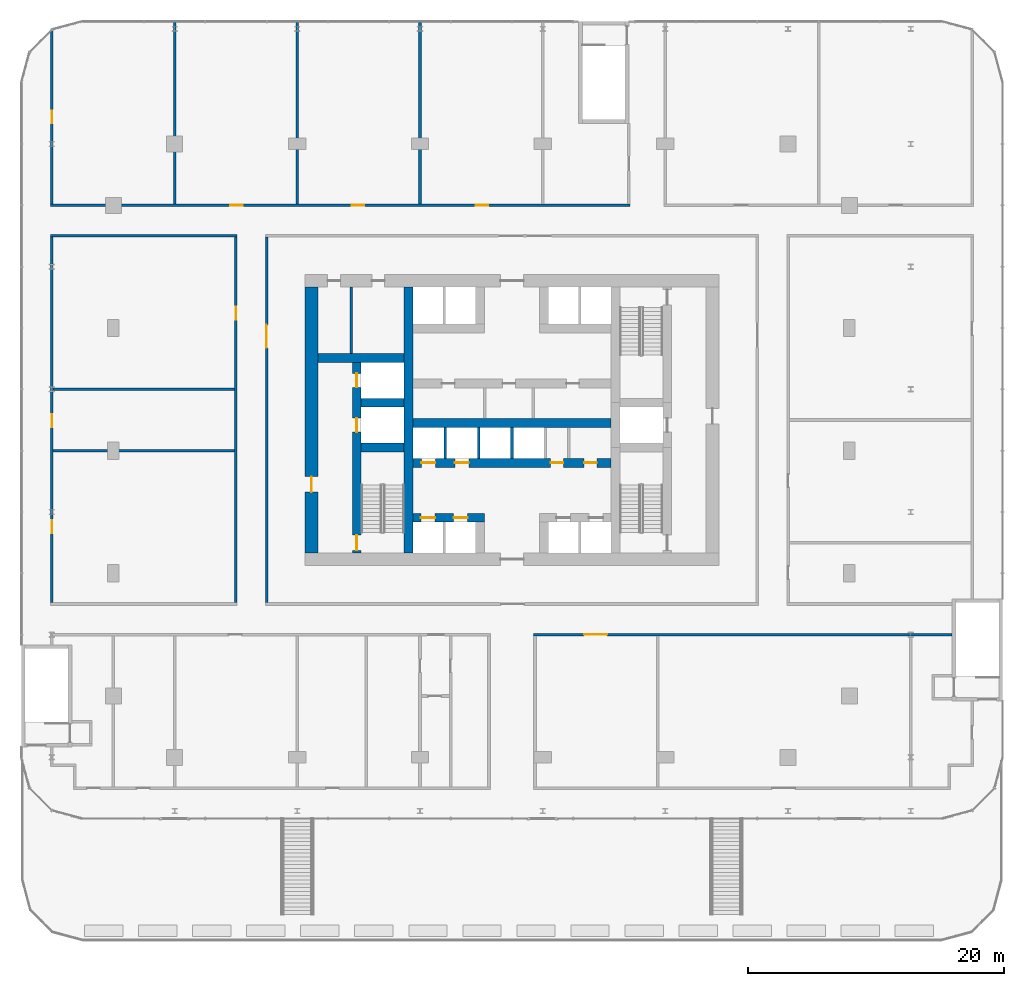
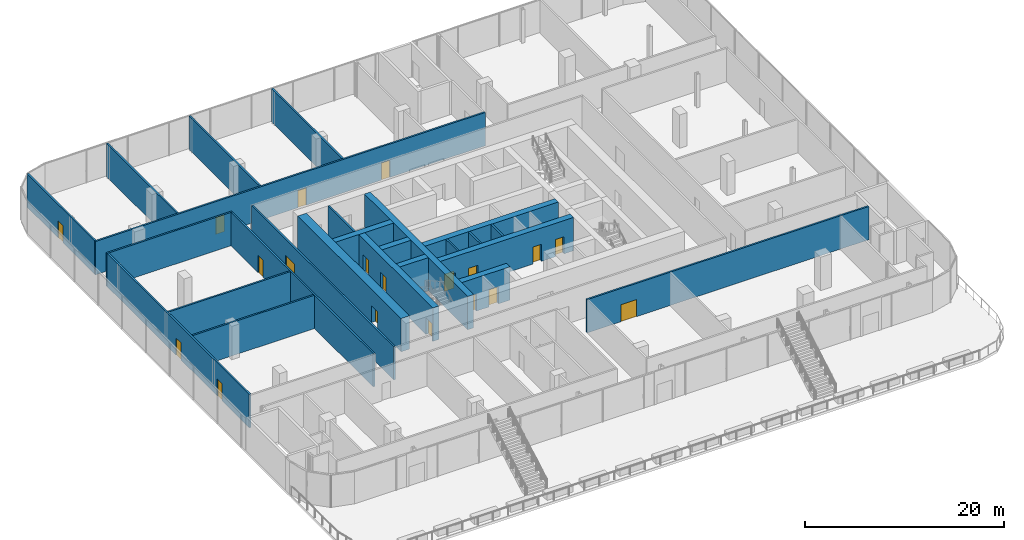
# One storey, part 23 of 32: 25 walls, 19 doors, 19 openings.
"""IFC4 building model written with IfcOpenShell, lengths in metres."""

from ifc_helpers import new_model, si_unit, direction, frame, frame_2d, origin, place, context, subcontext, project, spatial, rectangle, extrude, material, layer, layer_set, type_object, element, fill, save


model = new_model("IFC4")

# Units and contexts
model_context = context("Model", 3, precision=1e-05, world=origin(), true_north=direction((0.0, 1.0)))
body_context = subcontext(model_context, "Body", "Model", "MODEL_VIEW")
ifc_project = project(units=[si_unit("LENGTHUNIT", "METRE"), si_unit("AREAUNIT", "SQUARE_METRE"), si_unit("VOLUMEUNIT", "CUBIC_METRE"), si_unit("PLANEANGLEUNIT", "RADIAN"), si_unit("MASSUNIT", "GRAM", prefix="KILO")], contexts=[model_context])

# Site, building, storey
site_placement = place(None, origin())
site = spatial("IfcSite", under=ifc_project, at=site_placement, CompositionType="ELEMENT")
building_placement = place(site_placement, origin())
building = spatial("IfcBuilding", under=site, at=building_placement, Name="Madar Terraces", CompositionType="ELEMENT")
storey_placement = place(building_placement, frame((0.0, 0.0, 19.5)))
storey = spatial("IfcBuildingStorey", under=building, at=storey_placement, Name="L04", CompositionType="ELEMENT", Elevation=19.5)

# Wall, openings, doors
ifc_material_1 = material(Name="Concrete C80/95", Category="concrete")
ifc_layer_1 = layer(ifc_material_1, 0.699951171875)
ifc_layer_set_1 = layer_set([ifc_layer_1], Name="Concrete C80/95 (CIW1 RC wall 700)")
wall_type_1 = type_object("IfcWallType", Name="CIW1 RC wall 700", PredefinedType="SHEAR", material=ifc_layer_set_1)
wall_1_placement = place(storey_placement, frame((19.050048828125, 16.0, 0.0), z_axis=(0.0, 0.0, 1.0), x_axis=(0.0, 1.0, 0.0)))
wall_1 = element("IfcWall", 1, at=wall_1_placement, inside=storey, type_object=wall_type_1, Name="CORE SHAFT WALL", PredefinedType="SHEAR", context=body_context, shape_type="SweptSolid", body=[
    extrude(rectangle(XDim=14.89990234375, YDim=0.699951171875, at=frame_2d((7.449951171875, 0.0))), origin(), (0.0, 0.0, 1.0), 4.10009765625),
])
opening_1_placement = place(wall_1_placement, frame((9.449951171875, 0.0, 0.0)))
opening_1 = element("IfcOpeningElement", 2, at=opening_1_placement, cuts=wall_1, Name="Opening LD", PredefinedType="OPENING", context=body_context, shape_type="SweptSolid", body=[
    extrude(rectangle(XDim=1.10009765625, YDim=2.10009765625, at=frame_2d((0.550048828125, 1.050048828125))), frame((0.0, 0.35986328125, 0.0), z_axis=(0.0, -1.0, 0.0), x_axis=(1.0, 0.0, 0.0)), (0.0, 0.0, 1.0), 0.719970703125),
])
opening_2_placement = place(wall_1_placement, frame((12.949951171875, 0.0, 0.0)))
opening_2 = element("IfcOpeningElement", 3, at=opening_2_placement, cuts=wall_1, Name="Opening LD", PredefinedType="OPENING", context=body_context, shape_type="SweptSolid", body=[
    extrude(rectangle(XDim=1.10009765625, YDim=2.10009765625, at=frame_2d((0.550048828125, 1.050048828125))), frame((0.0, 0.35986328125, 0.0), z_axis=(0.0, -1.0, 0.0), x_axis=(1.0, 0.0, 0.0)), (0.0, 0.0, 1.0), 0.719970703125),
])
opening_3_placement = place(wall_1_placement, frame((0.199951171875, 0.0, 0.0)))
opening_3 = element("IfcOpeningElement", 4, at=opening_3_placement, cuts=wall_1, Name="Opening SD1", PredefinedType="OPENING", context=body_context, shape_type="SweptSolid", body=[
    extrude(rectangle(XDim=1.199951171875, YDim=2.10009765625, at=frame_2d((0.60009765625, 1.050048828125))), frame((0.0, 0.35986328125, 0.0), z_axis=(0.0, -1.0, 0.0), x_axis=(1.0, 0.0, 0.0)), (0.0, 0.0, 1.0), 0.719970703125),
])
ifc_material_2 = material(Name="Stainless steel panel", Category="steel")
door_type_1 = type_object("IfcDoorType", Name="Lift landing door 1100 x 2100", OperationType="DOUBLE_DOOR_SLIDING", PredefinedType="DOOR", material=ifc_material_2)
door_1_placement = place(opening_1_placement, origin())
door_1 = element("IfcDoor", 5, at=door_1_placement, inside=storey, type_object=door_type_1, Name="LIFT LANDING DOOR", OperationType="DOUBLE_DOOR_SLIDING", OverallHeight=2.10009765625, OverallWidth=1.10009765625, PredefinedType="DOOR", context=body_context, shape_type="SweptSolid", body=[
    extrude(rectangle(XDim=1.10009765625, YDim=2.10009765625, at=frame_2d((0.550048828125, 1.050048828125))), frame((0.0, 0.02490234375, 0.0), z_axis=(0.0, -1.0, 0.0), x_axis=(1.0, 0.0, 0.0)), (0.0, 0.0, 1.0), 0.050048828125),
])
fill(opening_1, door_1)
door_2_placement = place(opening_2_placement, origin())
door_2 = element("IfcDoor", 6, at=door_2_placement, inside=storey, type_object=door_type_1, Name="LIFT LANDING DOOR", OperationType="DOUBLE_DOOR_SLIDING", OverallHeight=2.10009765625, OverallWidth=1.10009765625, PredefinedType="DOOR", context=body_context, shape_type="SweptSolid", body=[
    extrude(rectangle(XDim=1.10009765625, YDim=2.10009765625, at=frame_2d((0.550048828125, 1.050048828125))), frame((0.0, 0.02490234375, 0.0), z_axis=(0.0, -1.0, 0.0), x_axis=(1.0, 0.0, 0.0)), (0.0, 0.0, 1.0), 0.050048828125),
])
fill(opening_2, door_2)
ifc_material_3 = material(Name="Steel door leaf", Category="steel")
door_type_2 = type_object("IfcDoorType", Name="Stair door 1200 x 2100", OperationType="NOTDEFINED", PredefinedType="DOOR", material=ifc_material_3)
door_3_placement = place(opening_3_placement, frame((1.199951171875, 0.0, 0.0), z_axis=(0.0, 0.0, 1.0), x_axis=(-1.0, 0.0, 0.0)))
door_3 = element("IfcDoor", 7, at=door_3_placement, inside=storey, type_object=door_type_2, Name="STAIR DOOR", OperationType="SINGLE_SWING_RIGHT", OverallHeight=2.10009765625, OverallWidth=1.199951171875, PredefinedType="DOOR", context=body_context, shape_type="SweptSolid", body=[
    extrude(rectangle(XDim=1.199951171875, YDim=2.10009765625, at=frame_2d((0.60009765625, 1.050048828125))), frame((0.0, 0.02490234375, 0.0), z_axis=(0.0, -1.0, 0.0), x_axis=(1.0, 0.0, 0.0)), (0.0, 0.0, 1.0), 0.050048828125),
])
fill(opening_3, door_3)

# Walls
wall_2_placement = place(storey_placement, frame((23.10009765625, 16.0, 0.0), z_axis=(0.0, 0.0, 1.0), x_axis=(0.0, 1.0, 0.0)))
element("IfcWall", 8, at=wall_2_placement, inside=storey, type_object=wall_type_1, Name="CORE SHAFT WALL", PredefinedType="SHEAR", context=body_context, shape_type="SweptSolid", body=[
    extrude(rectangle(XDim=20.800048828125, YDim=0.699951171875, at=frame_2d((10.39990234375, 0.0))), origin(), (0.0, 0.0, 1.0), 4.10009765625),
])
for number, where, z_axis, x_axis, name in (
    (9, (19.39990234375, 24.25, 0.0), (0.0, 0.0, 1.0), (1.0, 0.0, 0.0), "CORE SHAFT WALL"),
    (10, (19.39990234375, 27.75, 0.0), (0.0, 0.0, 1.0), (1.0, 0.0, 0.0), "CORE SHAFT WALL"),
):
    element("IfcWall", number, at=place(storey_placement, frame(where, z_axis=z_axis, x_axis=x_axis)), inside=storey, type_object=wall_type_1, Name=name, PredefinedType="SHEAR", context=body_context, shape_type="SweptSolid", body=[
        extrude(rectangle(XDim=3.35009765625, YDim=0.699951171875, at=frame_2d((1.675048828125, 0.0))), origin(), (0.0, 0.0, 1.0), 4.10009765625),
    ])
wall_3_placement = place(storey_placement, frame((16.0, 31.25, 0.0), z_axis=(0.0, 0.0, 1.0), x_axis=(1.0, 0.0, 0.0)))
element("IfcWall", 11, at=wall_3_placement, inside=storey, type_object=wall_type_1, Name="CORE SHAFT WALL", PredefinedType="SHEAR", context=body_context, shape_type="SweptSolid", body=[
    extrude(rectangle(XDim=6.75, YDim=0.699951171875, at=frame_2d((3.375, 0.0))), origin(), (0.0, 0.0, 1.0), 4.10009765625),
])

# Wall, openings, doors
wall_4_placement = place(storey_placement, frame((23.449951171875, 18.75, 0.0), z_axis=(0.0, 0.0, 1.0), x_axis=(1.0, 0.0, 0.0)))
wall_4 = element("IfcWall", 12, at=wall_4_placement, inside=storey, type_object=wall_type_1, Name="CORE SHAFT WALL", PredefinedType="SHEAR", context=body_context, shape_type="SweptSolid", body=[
    extrude(rectangle(XDim=5.60009765625, YDim=0.699951171875, at=frame_2d((2.800048828125, 0.0))), origin(), (0.0, 0.0, 1.0), 4.10009765625),
])
opening_4_placement = place(wall_4_placement, frame((0.625, 0.0, 0.0)))
opening_4 = element("IfcOpeningElement", 13, at=opening_4_placement, cuts=wall_4, Name="Opening LD", PredefinedType="OPENING", context=body_context, shape_type="SweptSolid", body=[
    extrude(rectangle(XDim=1.10009765625, YDim=2.10009765625, at=frame_2d((0.550048828125, 1.050048828125))), frame((0.0, 0.35986328125, 0.0), z_axis=(0.0, -1.0, 0.0), x_axis=(1.0, 0.0, 0.0)), (0.0, 0.0, 1.0), 0.719970703125),
])
opening_5_placement = place(wall_4_placement, frame((3.175048828125, 0.0, 0.0)))
opening_5 = element("IfcOpeningElement", 14, at=opening_5_placement, cuts=wall_4, Name="Opening LD", PredefinedType="OPENING", context=body_context, shape_type="SweptSolid", body=[
    extrude(rectangle(XDim=1.10009765625, YDim=2.10009765625, at=frame_2d((0.550048828125, 1.050048828125))), frame((0.0, 0.35986328125, 0.0), z_axis=(0.0, -1.0, 0.0), x_axis=(1.0, 0.0, 0.0)), (0.0, 0.0, 1.0), 0.719970703125),
])
door_4_placement = place(opening_4_placement, origin())
door_4 = element("IfcDoor", 15, at=door_4_placement, inside=storey, type_object=door_type_1, Name="LIFT LANDING DOOR", OperationType="DOUBLE_DOOR_SLIDING", OverallHeight=2.10009765625, OverallWidth=1.10009765625, PredefinedType="DOOR", context=body_context, shape_type="SweptSolid", body=[
    extrude(rectangle(XDim=1.10009765625, YDim=2.10009765625, at=frame_2d((0.550048828125, 1.050048828125))), frame((0.0, 0.02490234375, 0.0), z_axis=(0.0, -1.0, 0.0), x_axis=(1.0, 0.0, 0.0)), (0.0, 0.0, 1.0), 0.050048828125),
])
fill(opening_4, door_4)
door_5_placement = place(opening_5_placement, origin())
door_5 = element("IfcDoor", 16, at=door_5_placement, inside=storey, type_object=door_type_1, Name="LIFT LANDING DOOR", OperationType="DOUBLE_DOOR_SLIDING", OverallHeight=2.10009765625, OverallWidth=1.10009765625, PredefinedType="DOOR", context=body_context, shape_type="SweptSolid", body=[
    extrude(rectangle(XDim=1.10009765625, YDim=2.10009765625, at=frame_2d((0.550048828125, 1.050048828125))), frame((0.0, 0.02490234375, 0.0), z_axis=(0.0, -1.0, 0.0), x_axis=(1.0, 0.0, 0.0)), (0.0, 0.0, 1.0), 0.050048828125),
])
fill(opening_5, door_5)

wall_5_placement = place(storey_placement, frame((23.449951171875, 23.050048828125, 0.0), z_axis=(0.0, 0.0, 1.0), x_axis=(1.0, 0.0, 0.0)))
wall_5 = element("IfcWall", 17, at=wall_5_placement, inside=storey, type_object=wall_type_1, Name="CORE SHAFT WALL", PredefinedType="SHEAR", context=body_context, shape_type="SweptSolid", body=[
    extrude(rectangle(XDim=15.5, YDim=0.699951171875, at=frame_2d((7.75, 0.0))), origin(), (0.0, 0.0, 1.0), 4.10009765625),
])
opening_6_placement = place(wall_5_placement, frame((0.658447265625, 0.0, 0.0)))
opening_6 = element("IfcOpeningElement", 18, at=opening_6_placement, cuts=wall_5, Name="Opening LD", PredefinedType="OPENING", context=body_context, shape_type="SweptSolid", body=[
    extrude(rectangle(XDim=1.10009765625, YDim=2.10009765625, at=frame_2d((0.550048828125, 1.050048828125))), frame((0.0, 0.35986328125, 0.0), z_axis=(0.0, -1.0, 0.0), x_axis=(1.0, 0.0, 0.0)), (0.0, 0.0, 1.0), 0.719970703125),
])
opening_7_placement = place(wall_5_placement, frame((3.27490234375, 0.0, 0.0)))
opening_7 = element("IfcOpeningElement", 19, at=opening_7_placement, cuts=wall_5, Name="Opening LD", PredefinedType="OPENING", context=body_context, shape_type="SweptSolid", body=[
    extrude(rectangle(XDim=1.10009765625, YDim=2.10009765625, at=frame_2d((0.550048828125, 1.050048828125))), frame((0.0, 0.35986328125, 0.0), z_axis=(0.0, -1.0, 0.0), x_axis=(1.0, 0.0, 0.0)), (0.0, 0.0, 1.0), 0.719970703125),
])
opening_8_placement = place(wall_5_placement, frame((10.772216796875, 0.0, 0.0)))
opening_8 = element("IfcOpeningElement", 20, at=opening_8_placement, cuts=wall_5, Name="Opening KD2", PredefinedType="OPENING", context=body_context, shape_type="SweptSolid", body=[
    extrude(rectangle(XDim=1.0, YDim=2.10009765625, at=frame_2d((0.5, 1.050048828125))), frame((0.0, 0.35986328125, 0.0), z_axis=(0.0, -1.0, 0.0), x_axis=(1.0, 0.0, 0.0)), (0.0, 0.0, 1.0), 0.719970703125),
])
opening_9_placement = place(wall_5_placement, frame((13.388916015625, 0.0, 0.0)))
opening_9 = element("IfcOpeningElement", 21, at=opening_9_placement, cuts=wall_5, Name="Opening KD2", PredefinedType="OPENING", context=body_context, shape_type="SweptSolid", body=[
    extrude(rectangle(XDim=1.0, YDim=2.10009765625, at=frame_2d((0.5, 1.050048828125))), frame((0.0, 0.35986328125, 0.0), z_axis=(0.0, -1.0, 0.0), x_axis=(1.0, 0.0, 0.0)), (0.0, 0.0, 1.0), 0.719970703125),
])
door_6_placement = place(opening_6_placement, origin())
door_6 = element("IfcDoor", 22, at=door_6_placement, inside=storey, type_object=door_type_1, Name="LIFT LANDING DOOR", OperationType="DOUBLE_DOOR_SLIDING", OverallHeight=2.10009765625, OverallWidth=1.10009765625, PredefinedType="DOOR", context=body_context, shape_type="SweptSolid", body=[
    extrude(rectangle(XDim=1.10009765625, YDim=2.10009765625, at=frame_2d((0.550048828125, 1.050048828125))), frame((0.0, 0.02490234375, 0.0), z_axis=(0.0, -1.0, 0.0), x_axis=(1.0, 0.0, 0.0)), (0.0, 0.0, 1.0), 0.050048828125),
])
fill(opening_6, door_6)
door_7_placement = place(opening_7_placement, origin())
door_7 = element("IfcDoor", 23, at=door_7_placement, inside=storey, type_object=door_type_1, Name="LIFT LANDING DOOR", OperationType="DOUBLE_DOOR_SLIDING", OverallHeight=2.10009765625, OverallWidth=1.10009765625, PredefinedType="DOOR", context=body_context, shape_type="SweptSolid", body=[
    extrude(rectangle(XDim=1.10009765625, YDim=2.10009765625, at=frame_2d((0.550048828125, 1.050048828125))), frame((0.0, 0.02490234375, 0.0), z_axis=(0.0, -1.0, 0.0), x_axis=(1.0, 0.0, 0.0)), (0.0, 0.0, 1.0), 0.050048828125),
])
fill(opening_7, door_7)
ifc_material_4 = material(Name="Steel door leaf", Category="steel")
door_type_3 = type_object("IfcDoorType", Name="Service room door 1000 x 2100", OperationType="NOTDEFINED", PredefinedType="DOOR", material=ifc_material_4)
door_8_placement = place(opening_8_placement, frame((1.0, 0.0, 0.0), z_axis=(0.0, 0.0, 1.0), x_axis=(-1.0, 0.0, 0.0)))
door_8 = element("IfcDoor", 24, at=door_8_placement, inside=storey, type_object=door_type_3, Name="SERVICE ROOM DOOR", OperationType="SINGLE_SWING_LEFT", OverallHeight=2.10009765625, OverallWidth=1.0, PredefinedType="DOOR", context=body_context, shape_type="SweptSolid", body=[
    extrude(rectangle(XDim=1.0, YDim=2.10009765625, at=frame_2d((0.5, 1.050048828125))), frame((0.0, 0.02490234375, 0.0), z_axis=(0.0, -1.0, 0.0), x_axis=(1.0, 0.0, 0.0)), (0.0, 0.0, 1.0), 0.050048828125),
])
fill(opening_8, door_8)
door_9_placement = place(opening_9_placement, frame((1.0, 0.0, 0.0), z_axis=(0.0, 0.0, 1.0), x_axis=(-1.0, 0.0, 0.0)))
door_9 = element("IfcDoor", 25, at=door_9_placement, inside=storey, type_object=door_type_3, Name="SERVICE ROOM DOOR", OperationType="SINGLE_SWING_RIGHT", OverallHeight=2.10009765625, OverallWidth=1.0, PredefinedType="DOOR", context=body_context, shape_type="SweptSolid", body=[
    extrude(rectangle(XDim=1.0, YDim=2.10009765625, at=frame_2d((0.5, 1.050048828125))), frame((0.0, 0.02490234375, 0.0), z_axis=(0.0, -1.0, 0.0), x_axis=(1.0, 0.0, 0.0)), (0.0, 0.0, 1.0), 0.050048828125),
])
fill(opening_9, door_9)

# Wall
wall_6_placement = place(storey_placement, frame((23.449951171875, 26.14990234375, 0.0), z_axis=(0.0, 0.0, 1.0), x_axis=(1.0, 0.0, 0.0)))
element("IfcWall", 26, at=wall_6_placement, inside=storey, type_object=wall_type_1, Name="CORE SHAFT WALL", PredefinedType="SHEAR", context=body_context, shape_type="SweptSolid", body=[
    extrude(rectangle(XDim=15.5, YDim=0.699951171875, at=frame_2d((7.75, 0.0))), origin(), (0.0, 0.0, 1.0), 4.10009765625),
])

# Wall, opening, door
ifc_material_5 = material(Name="Concrete C80/95", Category="concrete")
ifc_layer_2 = layer(ifc_material_5, 1.0)
ifc_layer_set_2 = layer_set([ifc_layer_2], Name="Concrete C80/95 (CRW1 RC wall 1000)")
wall_type_2 = type_object("IfcWallType", Name="CRW1 RC wall 1000", PredefinedType="SHEAR", material=ifc_layer_set_2)
wall_7_placement = place(storey_placement, frame((15.5, 16.0, 0.0), z_axis=(0.0, 0.0, 1.0), x_axis=(0.0, 1.0, 0.0)))
wall_7 = element("IfcWall", 27, at=wall_7_placement, inside=storey, type_object=wall_type_2, Name="CORE OUTER WALL", PredefinedType="SHEAR", context=body_context, shape_type="SweptSolid", body=[
    extrude(rectangle(XDim=20.800048828125, YDim=1.0, at=frame_2d((10.39990234375, 0.0))), origin(), (0.0, 0.0, 1.0), 4.10009765625),
])
opening_10_placement = place(wall_7_placement, frame((4.760009765625, 0.0, 0.0)))
opening_10 = element("IfcOpeningElement", 28, at=opening_10_placement, cuts=wall_7, Name="Opening SD1", PredefinedType="OPENING", context=body_context, shape_type="SweptSolid", body=[
    extrude(rectangle(XDim=1.199951171875, YDim=2.10009765625, at=frame_2d((0.60009765625, 1.050048828125))), frame((0.0, 0.510009765625, 0.0), z_axis=(0.0, -1.0, 0.0), x_axis=(1.0, 0.0, 0.0)), (0.0, 0.0, 1.0), 1.02001953125),
])
door_10_placement = place(opening_10_placement, frame((1.199951171875, 0.0, 0.0), z_axis=(0.0, 0.0, 1.0), x_axis=(-1.0, 0.0, 0.0)))
door_10 = element("IfcDoor", 29, at=door_10_placement, inside=storey, type_object=door_type_2, Name="STAIR DOOR", OperationType="SINGLE_SWING_LEFT", OverallHeight=2.10009765625, OverallWidth=1.199951171875, PredefinedType="DOOR", context=body_context, shape_type="SweptSolid", body=[
    extrude(rectangle(XDim=1.199951171875, YDim=2.10009765625, at=frame_2d((0.60009765625, 1.050048828125))), frame((0.0, 0.02490234375, 0.0), z_axis=(0.0, -1.0, 0.0), x_axis=(1.0, 0.0, 0.0)), (0.0, 0.0, 1.0), 0.050048828125),
])
fill(opening_10, door_10)

# Walls
ifc_material_6 = material(Name="Masonry blockwork", Category="masonry")
ifc_layer_3 = layer(ifc_material_6, 0.199951171875)
ifc_layer_set_3 = layer_set([ifc_layer_3], Name="Core partition 200 blockwork")
wall_type_3 = type_object("IfcWallType", Name="Core partition 200 blockwork", PredefinedType="PARTITIONING", material=ifc_layer_set_3)
wall_8_placement = place(storey_placement, frame((18.632568359375, 31.60009765625, 0.0), z_axis=(0.0, 0.0, 1.0), x_axis=(0.0, 1.0, 0.0)))
element("IfcWall", 30, at=wall_8_placement, inside=storey, type_object=wall_type_3, Name="SERVICE ROOM PARTITION", PredefinedType="PARTITIONING", context=body_context, shape_type="SweptSolid", body=[
    extrude(rectangle(XDim=5.199951171875, YDim=0.199951171875, at=frame_2d((2.60009765625, 0.0))), origin(), (0.0, 0.0, 1.0), 4.10009765625),
])
ifc_material_7 = material(Name="Concrete C40/50", Category="concrete")
ifc_layer_4 = layer(ifc_material_7, 0.199951171875)
ifc_layer_set_4 = layer_set([ifc_layer_4], Name="Core shaft dividing wall 200 C40/50")
wall_type_4 = type_object("IfcWallType", Name="Core shaft dividing wall 200 C40/50", PredefinedType="SOLIDWALL", material=ifc_layer_set_4)
for number, where, z_axis, x_axis, name in (
    (31, (25.966552734375, 23.39990234375, 0.0), (0.0, 0.0, 1.0), (0.0, 1.0, 0.0), "SHAFT DIVIDING WALL"),
    (32, (28.583251953125, 23.39990234375, 0.0), (0.0, 0.0, 1.0), (0.0, 1.0, 0.0), "SHAFT DIVIDING WALL"),
    (33, (31.199951171875, 23.39990234375, 0.0), (0.0, 0.0, 1.0), (0.0, 1.0, 0.0), "SHAFT DIVIDING WALL"),
):
    element("IfcWall", number, at=place(storey_placement, frame(where, z_axis=z_axis, x_axis=x_axis)), inside=storey, type_object=wall_type_4, Name=name, PredefinedType="SOLIDWALL", context=body_context, shape_type="SweptSolid", body=[
        extrude(rectangle(XDim=2.400146484375, YDim=0.199951171875, at=frame_2d((1.2001953125, 0.0))), origin(), (0.0, 0.0, 1.0), 4.10009765625),
    ])

# Wall, opening, door
ifc_material_8 = material(Name="Gypsum board partition, fire-rated")
ifc_layer_5 = layer(ifc_material_8, 0.199951171875)
ifc_layer_set_5 = layer_set([ifc_layer_5], Name="Partition 200 EI 60")
wall_type_5 = type_object("IfcWallType", Name="Partition 200 EI 60", PredefinedType="PARTITIONING", material=ifc_layer_set_5)
wall_9_placement = place(storey_placement, frame((65.64990234375, 9.60009765625, 0.0), z_axis=(0.0, 0.0, 1.0), x_axis=(-1.0, 0.0, 0.0)))
wall_9 = element("IfcWall", 34, at=wall_9_placement, inside=storey, type_object=wall_type_5, Name="Wall LAUNDRETTE + RESIDENTS LOUNGE", PredefinedType="PARTITIONING", context=body_context, shape_type="SweptSolid", body=[
    extrude(rectangle(XDim=32.75, YDim=0.199951171875, at=frame_2d((16.375, 0.0))), origin(), (0.0, 0.0, 1.0), 4.10009765625),
])
opening_11_placement = place(wall_9_placement, frame((27.0, 0.0, 0.0)))
opening_11 = element("IfcOpeningElement", 35, at=opening_11_placement, cuts=wall_9, Name="Opening D30", PredefinedType="OPENING", context=body_context, shape_type="SweptSolid", body=[
    extrude(rectangle(XDim=1.800048828125, YDim=2.10009765625, at=frame_2d((0.89990234375, 1.050048828125))), frame((0.0, 0.10986328125, 0.0), z_axis=(0.0, -1.0, 0.0), x_axis=(1.0, 0.0, 0.0)), (0.0, 0.0, 1.0), 0.219970703125),
])
ifc_material_9 = material(Name="Timber door leaf, fire-rated", Category="wood")
door_type_4 = type_object("IfcDoorType", Name="Podium double door 1800 x 2100 FD30S", OperationType="DOUBLE_DOOR_SINGLE_SWING", PredefinedType="DOOR", material=ifc_material_9)
door_11_placement = place(opening_11_placement, origin())
door_11 = element("IfcDoor", 36, at=door_11_placement, inside=storey, type_object=door_type_4, Name="Door RESIDENTS LOUNGE / PODIUM CORRIDOR", OperationType="DOUBLE_DOOR_SINGLE_SWING", OverallHeight=2.10009765625, OverallWidth=1.800048828125, PredefinedType="DOOR", context=body_context, shape_type="SweptSolid", body=[
    extrude(rectangle(XDim=1.800048828125, YDim=2.10009765625, at=frame_2d((0.89990234375, 1.050048828125))), frame((0.0, 0.02490234375, 0.0), z_axis=(0.0, -1.0, 0.0), x_axis=(1.0, 0.0, 0.0)), (0.0, 0.0, 1.0), 0.050048828125),
])
fill(opening_11, door_11)

# Walls
for number, where, z_axis, x_axis, name in (
    (37, (-4.699951171875, 24.0, 0.0), (0.0, 0.0, 1.0), (1.0, 0.0, 0.0), "Wall CHANGING ROOM / STORE"),
    (38, (-4.699951171875, 28.800048828125, 0.0), (0.0, 0.0, 1.0), (1.0, 0.0, 0.0), "Wall STORE / CHANGING ROOM"),
):
    element("IfcWall", number, at=place(storey_placement, frame(where, z_axis=z_axis, x_axis=x_axis)), inside=storey, type_object=wall_type_5, Name=name, PredefinedType="PARTITIONING", context=body_context, shape_type="SweptSolid", body=[
        extrude(rectangle(XDim=14.199951171875, YDim=0.199951171875, at=frame_2d((7.10009765625, 0.0))), origin(), (0.0, 0.0, 1.0), 4.10009765625),
    ])
wall_10_placement = place(storey_placement, frame((-4.89990234375, 40.800048828125, 0.0), z_axis=(0.0, 0.0, 1.0), x_axis=(1.0, 0.0, 0.0)))
element("IfcWall", 39, at=wall_10_placement, inside=storey, type_object=wall_type_5, Name="Wall CHANGING ROOM / PODIUM CORRIDOR", PredefinedType="PARTITIONING", context=body_context, shape_type="SweptSolid", body=[
    extrude(rectangle(XDim=14.599853515625, YDim=0.199951171875, at=frame_2d((7.2998046875, 0.0))), origin(), (0.0, 0.0, 1.0), 4.10009765625),
])

# Wall, openings, doors
wall_11_placement = place(storey_placement, frame((-4.89990234375, 43.199951171875, 0.0), z_axis=(0.0, 0.0, 1.0), x_axis=(1.0, 0.0, 0.0)))
wall_11 = element("IfcWall", 40, at=wall_11_placement, inside=storey, type_object=wall_type_5, Name="Wall ACTIVITY ROOM + OFFICE", PredefinedType="PARTITIONING", context=body_context, shape_type="SweptSolid", body=[
    extrude(rectangle(XDim=45.349853515625, YDim=0.199951171875, at=frame_2d((22.6748046875, 0.0))), origin(), (0.0, 0.0, 1.0), 4.10009765625),
])
opening_12_placement = place(wall_11_placement, frame((14.050048828125, 0.0, 0.0)))
opening_12 = element("IfcOpeningElement", 41, at=opening_12_placement, cuts=wall_11, Name="Opening D31", PredefinedType="OPENING", context=body_context, shape_type="SweptSolid", body=[
    extrude(rectangle(XDim=1.0, YDim=2.10009765625, at=frame_2d((0.5, 1.050048828125))), frame((0.0, 0.10986328125, 0.0), z_axis=(0.0, -1.0, 0.0), x_axis=(1.0, 0.0, 0.0)), (0.0, 0.0, 1.0), 0.219970703125),
])
opening_13_placement = place(wall_11_placement, frame((23.550048828125, 0.0, 0.0)))
opening_13 = element("IfcOpeningElement", 42, at=opening_13_placement, cuts=wall_11, Name="Opening D31", PredefinedType="OPENING", context=body_context, shape_type="SweptSolid", body=[
    extrude(rectangle(XDim=1.0, YDim=2.10009765625, at=frame_2d((0.5, 1.050048828125))), frame((0.0, 0.10986328125, 0.0), z_axis=(0.0, -1.0, 0.0), x_axis=(1.0, 0.0, 0.0)), (0.0, 0.0, 1.0), 0.219970703125),
])
opening_14_placement = place(wall_11_placement, frame((33.25, 0.0, 0.0)))
opening_14 = element("IfcOpeningElement", 43, at=opening_14_placement, cuts=wall_11, Name="Opening D31", PredefinedType="OPENING", context=body_context, shape_type="SweptSolid", body=[
    extrude(rectangle(XDim=1.0, YDim=2.10009765625, at=frame_2d((0.5, 1.050048828125))), frame((0.0, 0.10986328125, 0.0), z_axis=(0.0, -1.0, 0.0), x_axis=(1.0, 0.0, 0.0)), (0.0, 0.0, 1.0), 0.219970703125),
])
ifc_material_10 = material(Name="Timber door leaf, fire-rated", Category="wood")
door_type_5 = type_object("IfcDoorType", Name="Podium door 1000 x 2100 FD30S", OperationType="NOTDEFINED", PredefinedType="DOOR", material=ifc_material_10)
door_12_placement = place(opening_12_placement, origin())
door_12 = element("IfcDoor", 44, at=door_12_placement, inside=storey, type_object=door_type_5, Name="Door ACTIVITY ROOM / PODIUM CORRIDOR", OperationType="SINGLE_SWING_RIGHT", OverallHeight=2.10009765625, OverallWidth=1.0, PredefinedType="DOOR", context=body_context, shape_type="SweptSolid", body=[
    extrude(rectangle(XDim=1.0, YDim=2.10009765625, at=frame_2d((0.5, 1.050048828125))), frame((0.0, 0.02490234375, 0.0), z_axis=(0.0, -1.0, 0.0), x_axis=(1.0, 0.0, 0.0)), (0.0, 0.0, 1.0), 0.050048828125),
])
fill(opening_12, door_12)
door_13_placement = place(opening_13_placement, origin())
door_13 = element("IfcDoor", 45, at=door_13_placement, inside=storey, type_object=door_type_5, Name="Door ACTIVITY ROOM / PODIUM CORRIDOR", OperationType="SINGLE_SWING_LEFT", OverallHeight=2.10009765625, OverallWidth=1.0, PredefinedType="DOOR", context=body_context, shape_type="SweptSolid", body=[
    extrude(rectangle(XDim=1.0, YDim=2.10009765625, at=frame_2d((0.5, 1.050048828125))), frame((0.0, 0.02490234375, 0.0), z_axis=(0.0, -1.0, 0.0), x_axis=(1.0, 0.0, 0.0)), (0.0, 0.0, 1.0), 0.050048828125),
])
fill(opening_13, door_13)
door_14_placement = place(opening_14_placement, origin())
door_14 = element("IfcDoor", 46, at=door_14_placement, inside=storey, type_object=door_type_5, Name="Door ACTIVITY ROOM / PODIUM CORRIDOR", OperationType="SINGLE_SWING_RIGHT", OverallHeight=2.10009765625, OverallWidth=1.0, PredefinedType="DOOR", context=body_context, shape_type="SweptSolid", body=[
    extrude(rectangle(XDim=1.0, YDim=2.10009765625, at=frame_2d((0.5, 1.050048828125))), frame((0.0, 0.02490234375, 0.0), z_axis=(0.0, -1.0, 0.0), x_axis=(1.0, 0.0, 0.0)), (0.0, 0.0, 1.0), 0.050048828125),
])
fill(opening_14, door_14)

wall_12_placement = place(storey_placement, frame((-4.800048828125, 40.699951171875, 0.0), z_axis=(0.0, 0.0, 1.0), x_axis=(0.0, -1.0, 0.0)))
wall_12 = element("IfcWall", 47, at=wall_12_placement, inside=storey, type_object=wall_type_5, Name="Wall CHANGING ROOM + STORE", PredefinedType="PARTITIONING", context=body_context, shape_type="SweptSolid", body=[
    extrude(rectangle(XDim=28.599853515625, YDim=0.199951171875, at=frame_2d((14.2998046875, 0.0))), origin(), (0.0, 0.0, 1.0), 4.10009765625),
])
opening_15_placement = place(wall_12_placement, frame((22.14990234375, 0.0, 0.0)))
opening_15 = element("IfcOpeningElement", 48, at=opening_15_placement, cuts=wall_12, Name="Opening D31", PredefinedType="OPENING", context=body_context, shape_type="SweptSolid", body=[
    extrude(rectangle(XDim=1.0, YDim=2.10009765625, at=frame_2d((0.5, 1.050048828125))), frame((0.0, 0.10986328125, 0.0), z_axis=(0.0, -1.0, 0.0), x_axis=(1.0, 0.0, 0.0)), (0.0, 0.0, 1.0), 0.219970703125),
])
opening_16_placement = place(wall_12_placement, frame((13.85009765625, 0.0, 0.0)))
opening_16 = element("IfcOpeningElement", 49, at=opening_16_placement, cuts=wall_12, Name="Opening D31", PredefinedType="OPENING", context=body_context, shape_type="SweptSolid", body=[
    extrude(rectangle(XDim=1.0, YDim=2.10009765625, at=frame_2d((0.5, 1.050048828125))), frame((0.0, 0.10986328125, 0.0), z_axis=(0.0, -1.0, 0.0), x_axis=(1.0, 0.0, 0.0)), (0.0, 0.0, 1.0), 0.219970703125),
])
door_15_placement = place(opening_15_placement, origin())
door_15 = element("IfcDoor", 50, at=door_15_placement, inside=storey, type_object=door_type_5, Name="Door CHANGING ROOM / PODIUM CORRIDOR", OperationType="SINGLE_SWING_LEFT", OverallHeight=2.10009765625, OverallWidth=1.0, PredefinedType="DOOR", context=body_context, shape_type="SweptSolid", body=[
    extrude(rectangle(XDim=1.0, YDim=2.10009765625, at=frame_2d((0.5, 1.050048828125))), frame((0.0, 0.02490234375, 0.0), z_axis=(0.0, -1.0, 0.0), x_axis=(1.0, 0.0, 0.0)), (0.0, 0.0, 1.0), 0.050048828125),
])
fill(opening_15, door_15)
door_16_placement = place(opening_16_placement, origin())
door_16 = element("IfcDoor", 51, at=door_16_placement, inside=storey, type_object=door_type_5, Name="Door STORE / PODIUM CORRIDOR", OperationType="SINGLE_SWING_RIGHT", OverallHeight=2.10009765625, OverallWidth=1.0, PredefinedType="DOOR", context=body_context, shape_type="SweptSolid", body=[
    extrude(rectangle(XDim=1.0, YDim=2.10009765625, at=frame_2d((0.5, 1.050048828125))), frame((0.0, 0.02490234375, 0.0), z_axis=(0.0, -1.0, 0.0), x_axis=(1.0, 0.0, 0.0)), (0.0, 0.0, 1.0), 0.050048828125),
])
fill(opening_16, door_16)

# Wall, opening, door
wall_13_placement = place(storey_placement, frame((-4.800048828125, 56.860107421875, 0.0), z_axis=(0.0, 0.0, 1.0), x_axis=(0.0, -1.0, 0.0)))
wall_13 = element("IfcWall", 52, at=wall_13_placement, inside=storey, type_object=wall_type_5, Name="Wall QUIET ROOM / PODIUM CORRIDOR", PredefinedType="PARTITIONING", context=body_context, shape_type="SweptSolid", body=[
    extrude(rectangle(XDim=13.56005859375, YDim=0.199951171875, at=frame_2d((6.780029296875, 0.0))), origin(), (0.0, 0.0, 1.0), 4.10009765625),
])
opening_17_placement = place(wall_13_placement, frame((6.25, 0.0, 0.0)))
opening_17 = element("IfcOpeningElement", 53, at=opening_17_placement, cuts=wall_13, Name="Opening D31", PredefinedType="OPENING", context=body_context, shape_type="SweptSolid", body=[
    extrude(rectangle(XDim=1.0, YDim=2.10009765625, at=frame_2d((0.5, 1.050048828125))), frame((0.0, 0.10986328125, 0.0), z_axis=(0.0, -1.0, 0.0), x_axis=(1.0, 0.0, 0.0)), (0.0, 0.0, 1.0), 0.219970703125),
])
door_17_placement = place(opening_17_placement, origin())
door_17 = element("IfcDoor", 54, at=door_17_placement, inside=storey, type_object=door_type_5, Name="Door QUIET ROOM / PODIUM CORRIDOR", OperationType="SINGLE_SWING_LEFT", OverallHeight=2.10009765625, OverallWidth=1.0, PredefinedType="DOOR", context=body_context, shape_type="SweptSolid", body=[
    extrude(rectangle(XDim=1.0, YDim=2.10009765625, at=frame_2d((0.5, 1.050048828125))), frame((0.0, 0.02490234375, 0.0), z_axis=(0.0, -1.0, 0.0), x_axis=(1.0, 0.0, 0.0)), (0.0, 0.0, 1.0), 0.050048828125),
])
fill(opening_17, door_17)

# Wall
wall_14_placement = place(storey_placement, frame((4.800048828125, 43.300048828125, 0.0), z_axis=(0.0, 0.0, 1.0), x_axis=(0.0, 1.0, 0.0)))
element("IfcWall", 55, at=wall_14_placement, inside=storey, type_object=wall_type_5, Name="Wall QUIET ROOM / ACTIVITY ROOM", PredefinedType="PARTITIONING", context=body_context, shape_type="SweptSolid", body=[
    extrude(rectangle(XDim=14.199951171875, YDim=0.199951171875, at=frame_2d((7.10009765625, 0.0))), origin(), (0.0, 0.0, 1.0), 4.10009765625),
])

# Wall, opening, door
wall_15_placement = place(storey_placement, frame((9.60009765625, 12.10009765625, 0.0), z_axis=(0.0, 0.0, 1.0), x_axis=(0.0, 1.0, 0.0)))
wall_15 = element("IfcWall", 56, at=wall_15_placement, inside=storey, type_object=wall_type_5, Name="Wall CHANGING ROOM + STORE", PredefinedType="PARTITIONING", context=body_context, shape_type="SweptSolid", body=[
    extrude(rectangle(XDim=28.599853515625, YDim=0.199951171875, at=frame_2d((14.2998046875, 0.0))), origin(), (0.0, 0.0, 1.0), 4.10009765625),
])
opening_18_placement = place(wall_15_placement, frame((22.14990234375, 0.0, 0.0)))
opening_18 = element("IfcOpeningElement", 57, at=opening_18_placement, cuts=wall_15, Name="Opening D31", PredefinedType="OPENING", context=body_context, shape_type="SweptSolid", body=[
    extrude(rectangle(XDim=1.0, YDim=2.10009765625, at=frame_2d((0.5, 1.050048828125))), frame((0.0, 0.10986328125, 0.0), z_axis=(0.0, -1.0, 0.0), x_axis=(1.0, 0.0, 0.0)), (0.0, 0.0, 1.0), 0.219970703125),
])
door_18_placement = place(opening_18_placement, origin())
door_18 = element("IfcDoor", 58, at=door_18_placement, inside=storey, type_object=door_type_5, Name="Door CHANGING ROOM / PODIUM CORRIDOR", OperationType="SINGLE_SWING_RIGHT", OverallHeight=2.10009765625, OverallWidth=1.0, PredefinedType="DOOR", context=body_context, shape_type="SweptSolid", body=[
    extrude(rectangle(XDim=1.0, YDim=2.10009765625, at=frame_2d((0.5, 1.050048828125))), frame((0.0, 0.02490234375, 0.0), z_axis=(0.0, -1.0, 0.0), x_axis=(1.0, 0.0, 0.0)), (0.0, 0.0, 1.0), 0.050048828125),
])
fill(opening_18, door_18)

wall_16_placement = place(storey_placement, frame((12.0, 40.699951171875, 0.0), z_axis=(0.0, 0.0, 1.0), x_axis=(0.0, -1.0, 0.0)))
wall_16 = element("IfcWall", 59, at=wall_16_placement, inside=storey, type_object=wall_type_5, Name="Wall PODIUM CORRIDOR / RING CORRIDOR", PredefinedType="PARTITIONING", context=body_context, shape_type="SweptSolid", body=[
    extrude(rectangle(XDim=28.599853515625, YDim=0.199951171875, at=frame_2d((14.2998046875, 0.0))), origin(), (0.0, 0.0, 1.0), 4.10009765625),
])
opening_19_placement = place(wall_16_placement, frame((6.85009765625, 0.0, 0.0)))
opening_19 = element("IfcOpeningElement", 60, at=opening_19_placement, cuts=wall_16, Name="Opening D30", PredefinedType="OPENING", context=body_context, shape_type="SweptSolid", body=[
    extrude(rectangle(XDim=1.800048828125, YDim=2.10009765625, at=frame_2d((0.89990234375, 1.050048828125))), frame((0.0, 0.10986328125, 0.0), z_axis=(0.0, -1.0, 0.0), x_axis=(1.0, 0.0, 0.0)), (0.0, 0.0, 1.0), 0.219970703125),
])
door_19_placement = place(opening_19_placement, origin())
door_19 = element("IfcDoor", 61, at=door_19_placement, inside=storey, type_object=door_type_4, Name="Door PODIUM CORRIDOR / RING CORRIDOR", OperationType="DOUBLE_DOOR_SINGLE_SWING", OverallHeight=2.10009765625, OverallWidth=1.800048828125, PredefinedType="DOOR", context=body_context, shape_type="SweptSolid", body=[
    extrude(rectangle(XDim=1.800048828125, YDim=2.10009765625, at=frame_2d((0.89990234375, 1.050048828125))), frame((0.0, 0.02490234375, 0.0), z_axis=(0.0, -1.0, 0.0), x_axis=(1.0, 0.0, 0.0)), (0.0, 0.0, 1.0), 0.050048828125),
])
fill(opening_19, door_19)

# Walls
for number, where, z_axis, x_axis, name in (
    (62, (14.39990234375, 43.300048828125, 0.0), (0.0, 0.0, 1.0), (0.0, 1.0, 0.0), "Wall ACTIVITY ROOM / ACTIVITY ROOM"),
    (63, (24.0, 43.300048828125, 0.0), (0.0, 0.0, 1.0), (0.0, 1.0, 0.0), "Wall ACTIVITY ROOM / ACTIVITY ROOM"),
):
    element("IfcWall", number, at=place(storey_placement, frame(where, z_axis=z_axis, x_axis=x_axis)), inside=storey, type_object=wall_type_5, Name=name, PredefinedType="PARTITIONING", context=body_context, shape_type="SweptSolid", body=[
        extrude(rectangle(XDim=14.199951171875, YDim=0.199951171875, at=frame_2d((7.10009765625, 0.0))), origin(), (0.0, 0.0, 1.0), 4.10009765625),
    ])

save(model, "model.ifc")
